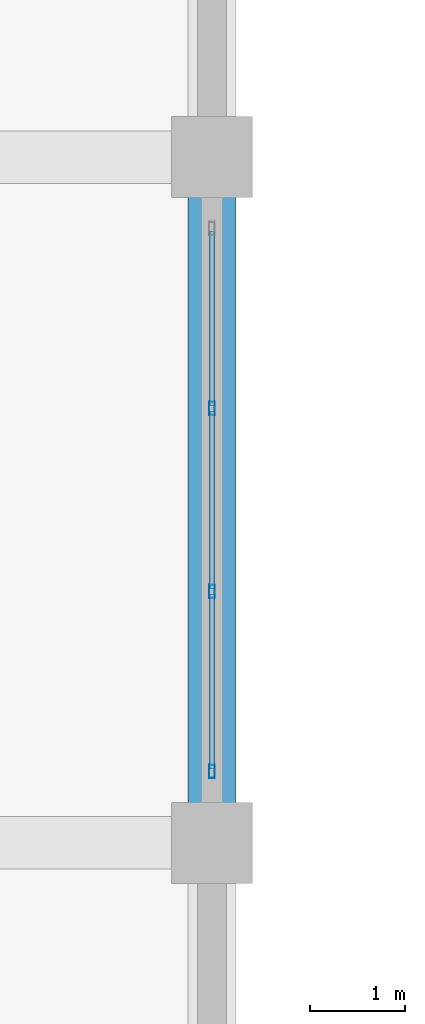
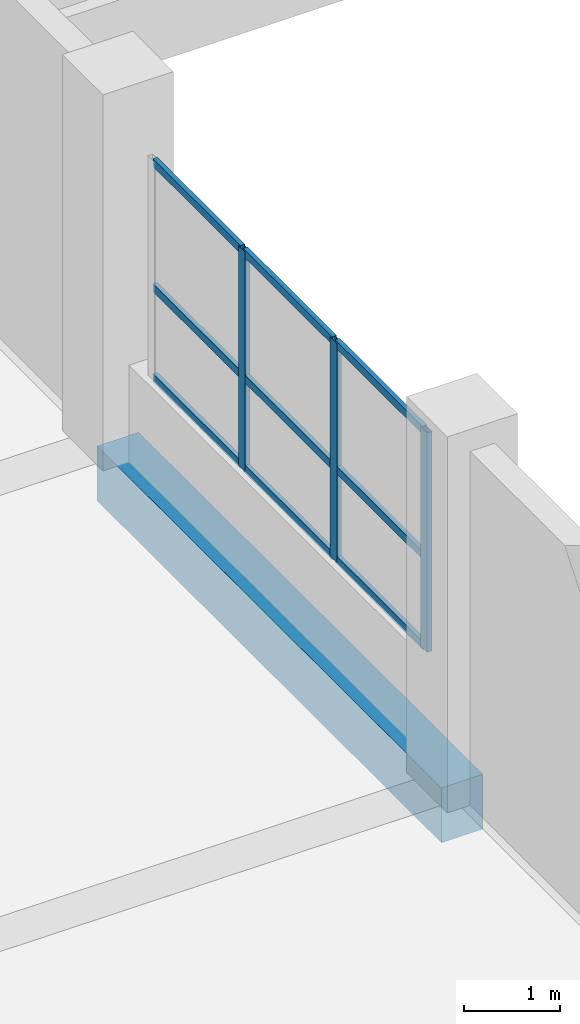
# One storey, part 59 of 181: 12 members, 1 beam, 1 element without a shape of its own.
"""IFC4 building model written with IfcOpenShell, lengths in metres."""

from ifc_helpers import new_model, si_unit, direction, frame, origin, origin_2d, place, context, subcontext, project, spatial, rectangle, hollow_rectangle, extrude, material, layer, layer_set, material_profile, profile_set, type_object, element, aggregate, save


model = new_model("IFC4")

# Units and contexts
model_context = context("Model", 3, precision=1e-05, world=origin(), true_north=direction((0.0, 1.0)))
body_context = subcontext(model_context, "Body", "Model", "MODEL_VIEW")
ifc_project = project(units=[si_unit("LENGTHUNIT", "METRE"), si_unit("AREAUNIT", "SQUARE_METRE"), si_unit("VOLUMEUNIT", "CUBIC_METRE"), si_unit("PLANEANGLEUNIT", "RADIAN"), si_unit("MASSUNIT", "GRAM", prefix="KILO")], contexts=[model_context])

# Site, building, storey
site_placement = place(None, origin())
site = spatial("IfcSite", under=ifc_project, at=site_placement, CompositionType="ELEMENT")
building_placement = place(site_placement, origin())
building = spatial("IfcBuilding", under=site, at=building_placement, Name="Seraya Terrace Polytechnic", CompositionType="ELEMENT")
storey_placement = place(building_placement, frame((0.0, 0.0, 4.800048828125)))
storey = spatial("IfcBuildingStorey", under=building, at=storey_placement, Name="L01", CompositionType="ELEMENT", Elevation=4.800048828125)

# Beam
ifc_material_1 = material(Name="Concrete C40/50", Category="concrete")
ifc_material_profile_1 = material_profile(ifc_material_1, rectangle(XDim=0.5, YDim=0.699951171875, at=origin_2d()), Name="RC 500x700")
ifc_profile_set_1 = profile_set([ifc_material_profile_1], Name="Concrete C40/50")
beam_type = type_object("IfcBeamType", Name="BM-07", PredefinedType="BEAM", material=ifc_profile_set_1)
beam_placement = place(storey_placement, frame((108.0, 57.60009765625, -0.35009765625), z_axis=(0.0, 1.0, 0.0), x_axis=(-1.0, 0.0, 0.0)))
element("IfcBeam", 1, at=beam_placement, inside=storey, type_object=beam_type, Name="Beam BM-07 L01 Y (108.0, 57.6..64.8)", PredefinedType="BEAM", context=body_context, shape_type="SweptSolid", body=[
    extrude(rectangle(XDim=0.5, YDim=0.699951171875, at=origin_2d()), origin(), (0.0, 0.0, 1.0), 7.199951171875),
])

# Curtain wall, members
ifc_material_2 = material(Name="Anodised aluminium EN AW-6063 T6", Category="aluminium")
ifc_layer = layer(ifc_material_2, 0.179931640625, Name="CW-15")
ifc_layer_set = layer_set([ifc_layer], Name="Anodised aluminium EN AW-6063 T6")
curtain_wall_type = type_object("IfcCurtainWallType", Name="CW-15", PredefinedType="NOTDEFINED", material=ifc_layer_set)
curtain_wall_placement = place(storey_placement, origin())
curtain_wall = element("IfcCurtainWall", 2, at=curtain_wall_placement, inside=storey, type_object=curtain_wall_type, Name="Unitised curtain wall CW-15 (CW-L01-051)", PredefinedType="NOTDEFINED")
ifc_material_profile_2 = material_profile(ifc_material_2, hollow_rectangle(XDim=0.06005859375, YDim=0.139892578125, WallThickness=0.00341796875, at=origin_2d()), Name="RHS 140x60x3.5")
ifc_profile_set_2 = profile_set([ifc_material_profile_2], Name="Anodised aluminium EN AW-6063 T6")
member_type_1 = type_object("IfcMemberType", Name="CWM-03", PredefinedType="MULLION", material=ifc_profile_set_2)
member_1_placement = place(storey_placement, frame((108.0, 62.159912109375, 1.239990234375), z_axis=(0.0, 0.0, 1.0), x_axis=(1.0, 0.0, 0.0)))
member_1 = element("IfcMember", 3, at=member_1_placement, type_object=member_type_1, Name="CW-15 mullion 2", PredefinedType="MULLION", context=body_context, shape_type="SweptSolid", body=[
    extrude(hollow_rectangle(XDim=0.06005859375, YDim=0.139892578125, WallThickness=0.00341796875, at=origin_2d()), origin(), (0.0, 0.0, 1.0), 2.800048828125),
])
member_2_placement = place(storey_placement, frame((108.0, 60.239990234375, 1.239990234375), z_axis=(0.0, 0.0, 1.0), x_axis=(1.0, 0.0, 0.0)))
member_2 = element("IfcMember", 4, at=member_2_placement, type_object=member_type_1, Name="CW-15 mullion 3", PredefinedType="MULLION", context=body_context, shape_type="SweptSolid", body=[
    extrude(hollow_rectangle(XDim=0.06005859375, YDim=0.139892578125, WallThickness=0.00341796875, at=origin_2d()), origin(), (0.0, 0.0, 1.0), 2.800048828125),
])
member_3_placement = place(storey_placement, frame((108.0, 58.35009765625, 1.239990234375), z_axis=(0.0, 0.0, 1.0), x_axis=(1.0, 0.0, 0.0)))
member_3 = element("IfcMember", 5, at=member_3_placement, type_object=member_type_1, Name="CW-15 mullion 4", PredefinedType="MULLION", context=body_context, shape_type="SweptSolid", body=[
    extrude(hollow_rectangle(XDim=0.06005859375, YDim=0.139892578125, WallThickness=0.00341796875, at=origin_2d()), origin(), (0.0, 0.0, 1.0), 2.800048828125),
])
ifc_material_profile_3 = material_profile(ifc_material_2, hollow_rectangle(XDim=0.054931640625, YDim=0.10009765625, WallThickness=0.0029296875, at=origin_2d()), Name="RHS 100x55x3.0")
ifc_profile_set_3 = profile_set([ifc_material_profile_3], Name="Anodised aluminium EN AW-6063 T6")
member_type_2 = type_object("IfcMemberType", Name="CWT-03", PredefinedType="USERDEFINED", material=ifc_profile_set_3)
member_4_placement = place(storey_placement, frame((108.0, 64.02001953125, 1.267333984375), z_axis=(0.0, -1.0, 0.0), x_axis=(1.0, 0.0, 0.0)))
member_4 = element("IfcMember", 6, at=member_4_placement, type_object=member_type_2, Name="CW-15 transom 1.1", ObjectType="TRANSOM", PredefinedType="USERDEFINED", context=body_context, shape_type="SweptSolid", body=[
    extrude(hollow_rectangle(XDim=0.054931640625, YDim=0.10009765625, WallThickness=0.0029296875, at=origin_2d()), origin(), (0.0, 0.0, 1.0), 1.830078125),
])
member_5_placement = place(storey_placement, frame((108.0, 64.02001953125, 2.416015625), z_axis=(0.0, -1.0, 0.0), x_axis=(1.0, 0.0, 0.0)))
member_5 = element("IfcMember", 7, at=member_5_placement, type_object=member_type_2, Name="CW-15 transom 1.2", ObjectType="TRANSOM", PredefinedType="USERDEFINED", context=body_context, shape_type="SweptSolid", body=[
    extrude(hollow_rectangle(XDim=0.054931640625, YDim=0.10009765625, WallThickness=0.0029296875, at=origin_2d()), origin(), (0.0, 0.0, 1.0), 1.830078125),
])
member_6_placement = place(storey_placement, frame((108.0, 64.02001953125, 4.012451171875), z_axis=(0.0, -1.0, 0.0), x_axis=(1.0, 0.0, 0.0)))
member_6 = element("IfcMember", 8, at=member_6_placement, type_object=member_type_2, Name="CW-15 transom 1.3", ObjectType="TRANSOM", PredefinedType="USERDEFINED", context=body_context, shape_type="SweptSolid", body=[
    extrude(hollow_rectangle(XDim=0.054931640625, YDim=0.10009765625, WallThickness=0.0029296875, at=origin_2d()), origin(), (0.0, 0.0, 1.0), 1.830078125),
])
member_7_placement = place(storey_placement, frame((108.0, 62.1298828125, 1.267333984375), z_axis=(0.0, -1.0, 0.0), x_axis=(1.0, 0.0, 0.0)))
member_7 = element("IfcMember", 9, at=member_7_placement, type_object=member_type_2, Name="CW-15 transom 2.1", ObjectType="TRANSOM", PredefinedType="USERDEFINED", context=body_context, shape_type="SweptSolid", body=[
    extrude(hollow_rectangle(XDim=0.054931640625, YDim=0.10009765625, WallThickness=0.0029296875, at=origin_2d()), origin(), (0.0, 0.0, 1.0), 1.85986328125),
])
member_8_placement = place(storey_placement, frame((108.0, 62.1298828125, 2.416015625), z_axis=(0.0, -1.0, 0.0), x_axis=(1.0, 0.0, 0.0)))
member_8 = element("IfcMember", 10, at=member_8_placement, type_object=member_type_2, Name="CW-15 transom 2.2", ObjectType="TRANSOM", PredefinedType="USERDEFINED", context=body_context, shape_type="SweptSolid", body=[
    extrude(hollow_rectangle(XDim=0.054931640625, YDim=0.10009765625, WallThickness=0.0029296875, at=origin_2d()), origin(), (0.0, 0.0, 1.0), 1.85986328125),
])
member_9_placement = place(storey_placement, frame((108.0, 62.1298828125, 4.012451171875), z_axis=(0.0, -1.0, 0.0), x_axis=(1.0, 0.0, 0.0)))
member_9 = element("IfcMember", 11, at=member_9_placement, type_object=member_type_2, Name="CW-15 transom 2.3", ObjectType="TRANSOM", PredefinedType="USERDEFINED", context=body_context, shape_type="SweptSolid", body=[
    extrude(hollow_rectangle(XDim=0.054931640625, YDim=0.10009765625, WallThickness=0.0029296875, at=origin_2d()), origin(), (0.0, 0.0, 1.0), 1.85986328125),
])
member_10_placement = place(storey_placement, frame((108.0, 60.2099609375, 1.267333984375), z_axis=(0.0, -1.0, 0.0), x_axis=(1.0, 0.0, 0.0)))
member_10 = element("IfcMember", 12, at=member_10_placement, type_object=member_type_2, Name="CW-15 transom 3.1", ObjectType="TRANSOM", PredefinedType="USERDEFINED", context=body_context, shape_type="SweptSolid", body=[
    extrude(hollow_rectangle(XDim=0.054931640625, YDim=0.10009765625, WallThickness=0.0029296875, at=origin_2d()), origin(), (0.0, 0.0, 1.0), 1.830078125),
])
member_11_placement = place(storey_placement, frame((108.0, 60.2099609375, 2.416015625), z_axis=(0.0, -1.0, 0.0), x_axis=(1.0, 0.0, 0.0)))
member_11 = element("IfcMember", 13, at=member_11_placement, type_object=member_type_2, Name="CW-15 transom 3.2", ObjectType="TRANSOM", PredefinedType="USERDEFINED", context=body_context, shape_type="SweptSolid", body=[
    extrude(hollow_rectangle(XDim=0.054931640625, YDim=0.10009765625, WallThickness=0.0029296875, at=origin_2d()), origin(), (0.0, 0.0, 1.0), 1.830078125),
])
member_12_placement = place(storey_placement, frame((108.0, 60.2099609375, 4.012451171875), z_axis=(0.0, -1.0, 0.0), x_axis=(1.0, 0.0, 0.0)))
member_12 = element("IfcMember", 14, at=member_12_placement, type_object=member_type_2, Name="CW-15 transom 3.3", ObjectType="TRANSOM", PredefinedType="USERDEFINED", context=body_context, shape_type="SweptSolid", body=[
    extrude(hollow_rectangle(XDim=0.054931640625, YDim=0.10009765625, WallThickness=0.0029296875, at=origin_2d()), origin(), (0.0, 0.0, 1.0), 1.830078125),
])
aggregate(curtain_wall, [member_1, member_2, member_3, member_4, member_5, member_6, member_7, member_8, member_9, member_10, member_11, member_12])

save(model, "model.ifc")
